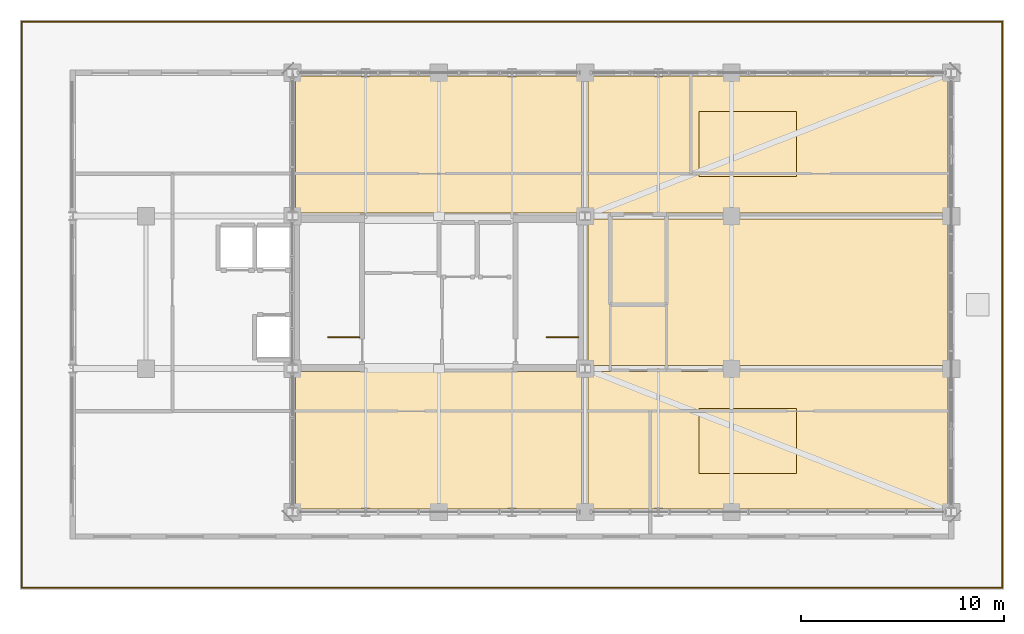
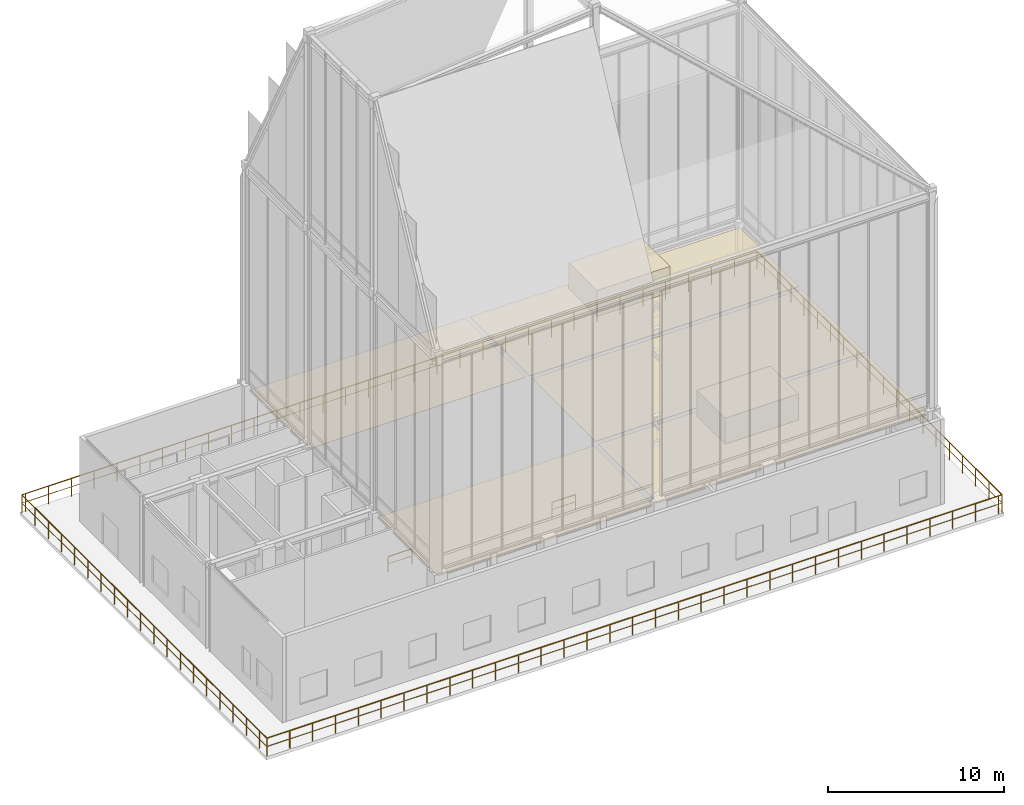
# One storey, part 49 of 49: 7 coverings, 6 railings.
"""IFC4 building model written with IfcOpenShell, lengths in metres."""

from ifc_helpers import new_model, si_unit, direction, frame, origin, origin_2d, place, context, subcontext, project, spatial, rectangle, extrude, source, transform, mapped, material, layer, layer_set, type_object, element, save


model = new_model("IFC4")

# Units and contexts
model_context = context("Model", 3, precision=1e-05, world=origin(), true_north=direction((0.0, 1.0)))
body_context = subcontext(model_context, "Body", "Model", "MODEL_VIEW")
ifc_project = project(units=[si_unit("LENGTHUNIT", "METRE"), si_unit("AREAUNIT", "SQUARE_METRE"), si_unit("VOLUMEUNIT", "CUBIC_METRE"), si_unit("PLANEANGLEUNIT", "RADIAN"), si_unit("MASSUNIT", "GRAM", prefix="KILO")], contexts=[model_context])

# Site, building, storey
site_placement = place(None, origin())
site = spatial("IfcSite", under=ifc_project, at=site_placement, CompositionType="ELEMENT")
building_placement = place(site_placement, origin())
building = spatial("IfcBuilding", under=site, at=building_placement, Name="Kaliganga Portal Commons", CompositionType="ELEMENT")
storey_placement = place(building_placement, frame((0.0, 0.0, 298.0)))
storey = spatial("IfcBuildingStorey", under=building, at=storey_placement, Name="L77", CompositionType="ELEMENT", Elevation=298.0)

# Railings
ifc_material_1 = material(Name="Laminated Structural Glass and Stainless Steel 316", Category="steel")
railing_type_1 = type_object("IfcRailingType", Name="RLG-LOOK-1250", PredefinedType="BALUSTRADE", material=ifc_material_1)
railing_1_placement = place(storey_placement, frame((1.080078125, 17.8798828125, 0.0)))
element("IfcRailing", 1, at=railing_1_placement, inside=storey, type_object=railing_type_1, Name="Terrace Guardrail L77 open_lookout_deck-01-1", PredefinedType="BALUSTRADE", context=body_context, shape_type="SweptSolid", body=[
    extrude(rectangle(XDim=0.048095703125, YDim=0.048095703125, at=origin_2d()), frame((0.0, 0.0, 1.22607421875), z_axis=(1.0, 0.0, 0.0), x_axis=(0.0, 1.0, 0.0)), (0.0, 0.0, 1.0), 48.239990234375),
    extrude(rectangle(XDim=0.028076171875, YDim=0.028076171875, at=origin_2d()), frame((0.0, 0.0, 0.64990234375), z_axis=(1.0, 0.0, 0.0), x_axis=(0.0, 1.0, 0.0)), (0.0, 0.0, 1.0), 48.239990234375),
    extrude(rectangle(XDim=0.0419921875, YDim=0.0419921875, at=origin_2d()), origin(), (0.0, 0.0, 1.0), 1.201904296875),
    extrude(rectangle(XDim=0.0419921875, YDim=0.0419921875, at=origin_2d()), frame((1.5, 0.0, 0.0)), (0.0, 0.0, 1.0), 1.201904296875),
    extrude(rectangle(XDim=0.0419921875, YDim=0.0419921875, at=origin_2d()), frame((3.0, 0.0, 0.0)), (0.0, 0.0, 1.0), 1.201904296875),
    extrude(rectangle(XDim=0.0419921875, YDim=0.0419921875, at=origin_2d()), frame((4.5, 0.0, 0.0)), (0.0, 0.0, 1.0), 1.201904296875),
    extrude(rectangle(XDim=0.0419921875, YDim=0.0419921875, at=origin_2d()), frame((6.0, 0.0, 0.0)), (0.0, 0.0, 1.0), 1.201904296875),
    extrude(rectangle(XDim=0.0419921875, YDim=0.0419921875, at=origin_2d()), frame((7.5, 0.0, 0.0)), (0.0, 0.0, 1.0), 1.201904296875),
    extrude(rectangle(XDim=0.0419921875, YDim=0.0419921875, at=origin_2d()), frame((9.0, 0.0, 0.0)), (0.0, 0.0, 1.0), 1.201904296875),
    extrude(rectangle(XDim=0.0419921875, YDim=0.0419921875, at=origin_2d()), frame((10.5, 0.0, 0.0)), (0.0, 0.0, 1.0), 1.201904296875),
    extrude(rectangle(XDim=0.0419921875, YDim=0.0419921875, at=origin_2d()), frame((12.0, 0.0, 0.0)), (0.0, 0.0, 1.0), 1.201904296875),
    extrude(rectangle(XDim=0.0419921875, YDim=0.0419921875, at=origin_2d()), frame((13.5, 0.0, 0.0)), (0.0, 0.0, 1.0), 1.201904296875),
    extrude(rectangle(XDim=0.0419921875, YDim=0.0419921875, at=origin_2d()), frame((15.0, 0.0, 0.0)), (0.0, 0.0, 1.0), 1.201904296875),
    extrude(rectangle(XDim=0.0419921875, YDim=0.0419921875, at=origin_2d()), frame((16.5, 0.0, 0.0)), (0.0, 0.0, 1.0), 1.201904296875),
    extrude(rectangle(XDim=0.0419921875, YDim=0.0419921875, at=origin_2d()), frame((18.0, 0.0, 0.0)), (0.0, 0.0, 1.0), 1.201904296875),
    extrude(rectangle(XDim=0.0419921875, YDim=0.0419921875, at=origin_2d()), frame((19.5, 0.0, 0.0)), (0.0, 0.0, 1.0), 1.201904296875),
    extrude(rectangle(XDim=0.0419921875, YDim=0.0419921875, at=origin_2d()), frame((21.0, 0.0, 0.0)), (0.0, 0.0, 1.0), 1.201904296875),
    extrude(rectangle(XDim=0.0419921875, YDim=0.0419921875, at=origin_2d()), frame((22.5, 0.0, 0.0)), (0.0, 0.0, 1.0), 1.201904296875),
    extrude(rectangle(XDim=0.0419921875, YDim=0.0419921875, at=origin_2d()), frame((24.0, 0.0, 0.0)), (0.0, 0.0, 1.0), 1.201904296875),
    extrude(rectangle(XDim=0.0419921875, YDim=0.0419921875, at=origin_2d()), frame((25.5, 0.0, 0.0)), (0.0, 0.0, 1.0), 1.201904296875),
    extrude(rectangle(XDim=0.0419921875, YDim=0.0419921875, at=origin_2d()), frame((27.0, 0.0, 0.0)), (0.0, 0.0, 1.0), 1.201904296875),
    extrude(rectangle(XDim=0.0419921875, YDim=0.0419921875, at=origin_2d()), frame((28.5, 0.0, 0.0)), (0.0, 0.0, 1.0), 1.201904296875),
    extrude(rectangle(XDim=0.0419921875, YDim=0.0419921875, at=origin_2d()), frame((30.0, 0.0, 0.0)), (0.0, 0.0, 1.0), 1.201904296875),
    extrude(rectangle(XDim=0.0419921875, YDim=0.0419921875, at=origin_2d()), frame((31.5, 0.0, 0.0)), (0.0, 0.0, 1.0), 1.201904296875),
    extrude(rectangle(XDim=0.0419921875, YDim=0.0419921875, at=origin_2d()), frame((33.0, 0.0, 0.0)), (0.0, 0.0, 1.0), 1.201904296875),
    extrude(rectangle(XDim=0.0419921875, YDim=0.0419921875, at=origin_2d()), frame((34.5, 0.0, 0.0)), (0.0, 0.0, 1.0), 1.201904296875),
    extrude(rectangle(XDim=0.0419921875, YDim=0.0419921875, at=origin_2d()), frame((36.0, 0.0, 0.0)), (0.0, 0.0, 1.0), 1.201904296875),
    extrude(rectangle(XDim=0.0419921875, YDim=0.0419921875, at=origin_2d()), frame((37.5, 0.0, 0.0)), (0.0, 0.0, 1.0), 1.201904296875),
    extrude(rectangle(XDim=0.0419921875, YDim=0.0419921875, at=origin_2d()), frame((39.0, 0.0, 0.0)), (0.0, 0.0, 1.0), 1.201904296875),
    extrude(rectangle(XDim=0.0419921875, YDim=0.0419921875, at=origin_2d()), frame((40.5, 0.0, 0.0)), (0.0, 0.0, 1.0), 1.201904296875),
    extrude(rectangle(XDim=0.0419921875, YDim=0.0419921875, at=origin_2d()), frame((42.0, 0.0, 0.0)), (0.0, 0.0, 1.0), 1.201904296875),
    extrude(rectangle(XDim=0.0419921875, YDim=0.0419921875, at=origin_2d()), frame((43.5, 0.0, 0.0)), (0.0, 0.0, 1.0), 1.201904296875),
    extrude(rectangle(XDim=0.0419921875, YDim=0.0419921875, at=origin_2d()), frame((45.0, 0.0, 0.0)), (0.0, 0.0, 1.0), 1.201904296875),
    extrude(rectangle(XDim=0.0419921875, YDim=0.0419921875, at=origin_2d()), frame((46.5, 0.0, 0.0)), (0.0, 0.0, 1.0), 1.201904296875),
    extrude(rectangle(XDim=0.0419921875, YDim=0.0419921875, at=origin_2d()), frame((48.0, 0.0, 0.0)), (0.0, 0.0, 1.0), 1.201904296875),
    extrude(rectangle(XDim=0.0419921875, YDim=0.0419921875, at=origin_2d()), frame((48.239990234375, 0.0, 0.0)), (0.0, 0.0, 1.0), 1.201904296875),
])
railing_2_placement = place(storey_placement, frame((49.320068359375, 17.8798828125, 0.0)))
element("IfcRailing", 2, at=railing_2_placement, inside=storey, type_object=railing_type_1, Name="Terrace Guardrail L77 open_lookout_deck-02-1", PredefinedType="BALUSTRADE", context=body_context, shape_type="SweptSolid", body=[
    extrude(rectangle(XDim=0.048095703125, YDim=0.048095703125, at=origin_2d()), frame((0.0, 0.0, 1.22607421875), z_axis=(0.0, 1.0, 0.0), x_axis=(-1.0, 0.0, 0.0)), (0.0, 0.0, 1.0), 27.840087890625),
    extrude(rectangle(XDim=0.028076171875, YDim=0.028076171875, at=origin_2d()), frame((0.0, 0.0, 0.64990234375), z_axis=(0.0, 1.0, 0.0), x_axis=(-1.0, 0.0, 0.0)), (0.0, 0.0, 1.0), 27.840087890625),
    extrude(rectangle(XDim=0.0419921875, YDim=0.0419921875, at=origin_2d()), origin(), (0.0, 0.0, 1.0), 1.201904296875),
    extrude(rectangle(XDim=0.0419921875, YDim=0.0419921875, at=origin_2d()), frame((0.0, 1.5, 0.0)), (0.0, 0.0, 1.0), 1.201904296875),
    extrude(rectangle(XDim=0.0419921875, YDim=0.0419921875, at=origin_2d()), frame((0.0, 3.0, 0.0)), (0.0, 0.0, 1.0), 1.201904296875),
    extrude(rectangle(XDim=0.0419921875, YDim=0.0419921875, at=origin_2d()), frame((0.0, 4.5, 0.0)), (0.0, 0.0, 1.0), 1.201904296875),
    extrude(rectangle(XDim=0.0419921875, YDim=0.0419921875, at=origin_2d()), frame((0.0, 6.0, 0.0)), (0.0, 0.0, 1.0), 1.201904296875),
    extrude(rectangle(XDim=0.0419921875, YDim=0.0419921875, at=origin_2d()), frame((0.0, 7.5, 0.0)), (0.0, 0.0, 1.0), 1.201904296875),
    extrude(rectangle(XDim=0.0419921875, YDim=0.0419921875, at=origin_2d()), frame((0.0, 9.0, 0.0)), (0.0, 0.0, 1.0), 1.201904296875),
    extrude(rectangle(XDim=0.0419921875, YDim=0.0419921875, at=origin_2d()), frame((0.0, 10.5, 0.0)), (0.0, 0.0, 1.0), 1.201904296875),
    extrude(rectangle(XDim=0.0419921875, YDim=0.0419921875, at=origin_2d()), frame((0.0, 12.0, 0.0)), (0.0, 0.0, 1.0), 1.201904296875),
    extrude(rectangle(XDim=0.0419921875, YDim=0.0419921875, at=origin_2d()), frame((0.0, 13.5, 0.0)), (0.0, 0.0, 1.0), 1.201904296875),
    extrude(rectangle(XDim=0.0419921875, YDim=0.0419921875, at=origin_2d()), frame((0.0, 15.0, 0.0)), (0.0, 0.0, 1.0), 1.201904296875),
    extrude(rectangle(XDim=0.0419921875, YDim=0.0419921875, at=origin_2d()), frame((0.0, 16.5, 0.0)), (0.0, 0.0, 1.0), 1.201904296875),
    extrude(rectangle(XDim=0.0419921875, YDim=0.0419921875, at=origin_2d()), frame((0.0, 18.0, 0.0)), (0.0, 0.0, 1.0), 1.201904296875),
    extrude(rectangle(XDim=0.0419921875, YDim=0.0419921875, at=origin_2d()), frame((0.0, 19.5, 0.0)), (0.0, 0.0, 1.0), 1.201904296875),
    extrude(rectangle(XDim=0.0419921875, YDim=0.0419921875, at=origin_2d()), frame((0.0, 21.0, 0.0)), (0.0, 0.0, 1.0), 1.201904296875),
    extrude(rectangle(XDim=0.0419921875, YDim=0.0419921875, at=origin_2d()), frame((0.0, 22.5, 0.0)), (0.0, 0.0, 1.0), 1.201904296875),
    extrude(rectangle(XDim=0.0419921875, YDim=0.0419921875, at=origin_2d()), frame((0.0, 24.0, 0.0)), (0.0, 0.0, 1.0), 1.201904296875),
    extrude(rectangle(XDim=0.0419921875, YDim=0.0419921875, at=origin_2d()), frame((0.0, 25.5, 0.0)), (0.0, 0.0, 1.0), 1.201904296875),
    extrude(rectangle(XDim=0.0419921875, YDim=0.0419921875, at=origin_2d()), frame((0.0, 27.0, 0.0)), (0.0, 0.0, 1.0), 1.201904296875),
    extrude(rectangle(XDim=0.0419921875, YDim=0.0419921875, at=origin_2d()), frame((0.0, 27.840087890625, 0.0)), (0.0, 0.0, 1.0), 1.201904296875),
])
railing_3_placement = place(storey_placement, frame((49.320068359375, 45.719970703125, 0.0)))
element("IfcRailing", 3, at=railing_3_placement, inside=storey, type_object=railing_type_1, Name="Terrace Guardrail L77 open_lookout_deck-03-1", PredefinedType="BALUSTRADE", context=body_context, shape_type="SweptSolid", body=[
    extrude(rectangle(XDim=0.048095703125, YDim=0.048095703125, at=origin_2d()), frame((0.0, 0.0, 1.22607421875), z_axis=(-1.0, 0.0, 0.0), x_axis=(0.0, -1.0, 0.0)), (0.0, 0.0, 1.0), 48.239990234375),
    extrude(rectangle(XDim=0.028076171875, YDim=0.028076171875, at=origin_2d()), frame((0.0, 0.0, 0.64990234375), z_axis=(-1.0, 0.0, 0.0), x_axis=(0.0, -1.0, 0.0)), (0.0, 0.0, 1.0), 48.239990234375),
    extrude(rectangle(XDim=0.0419921875, YDim=0.0419921875, at=origin_2d()), origin(), (0.0, 0.0, 1.0), 1.201904296875),
    extrude(rectangle(XDim=0.0419921875, YDim=0.0419921875, at=origin_2d()), frame((-1.5, 0.0, 0.0)), (0.0, 0.0, 1.0), 1.201904296875),
    extrude(rectangle(XDim=0.0419921875, YDim=0.0419921875, at=origin_2d()), frame((-3.0, 0.0, 0.0)), (0.0, 0.0, 1.0), 1.201904296875),
    extrude(rectangle(XDim=0.0419921875, YDim=0.0419921875, at=origin_2d()), frame((-4.5, 0.0, 0.0)), (0.0, 0.0, 1.0), 1.201904296875),
    extrude(rectangle(XDim=0.0419921875, YDim=0.0419921875, at=origin_2d()), frame((-6.0, 0.0, 0.0)), (0.0, 0.0, 1.0), 1.201904296875),
    extrude(rectangle(XDim=0.0419921875, YDim=0.0419921875, at=origin_2d()), frame((-7.5, 0.0, 0.0)), (0.0, 0.0, 1.0), 1.201904296875),
    extrude(rectangle(XDim=0.0419921875, YDim=0.0419921875, at=origin_2d()), frame((-9.0, 0.0, 0.0)), (0.0, 0.0, 1.0), 1.201904296875),
    extrude(rectangle(XDim=0.0419921875, YDim=0.0419921875, at=origin_2d()), frame((-10.5, 0.0, 0.0)), (0.0, 0.0, 1.0), 1.201904296875),
    extrude(rectangle(XDim=0.0419921875, YDim=0.0419921875, at=origin_2d()), frame((-12.0, 0.0, 0.0)), (0.0, 0.0, 1.0), 1.201904296875),
    extrude(rectangle(XDim=0.0419921875, YDim=0.0419921875, at=origin_2d()), frame((-13.5, 0.0, 0.0)), (0.0, 0.0, 1.0), 1.201904296875),
    extrude(rectangle(XDim=0.0419921875, YDim=0.0419921875, at=origin_2d()), frame((-15.0, 0.0, 0.0)), (0.0, 0.0, 1.0), 1.201904296875),
    extrude(rectangle(XDim=0.0419921875, YDim=0.0419921875, at=origin_2d()), frame((-16.5, 0.0, 0.0)), (0.0, 0.0, 1.0), 1.201904296875),
    extrude(rectangle(XDim=0.0419921875, YDim=0.0419921875, at=origin_2d()), frame((-18.0, 0.0, 0.0)), (0.0, 0.0, 1.0), 1.201904296875),
    extrude(rectangle(XDim=0.0419921875, YDim=0.0419921875, at=origin_2d()), frame((-19.5, 0.0, 0.0)), (0.0, 0.0, 1.0), 1.201904296875),
    extrude(rectangle(XDim=0.0419921875, YDim=0.0419921875, at=origin_2d()), frame((-21.0, 0.0, 0.0)), (0.0, 0.0, 1.0), 1.201904296875),
    extrude(rectangle(XDim=0.0419921875, YDim=0.0419921875, at=origin_2d()), frame((-22.5, 0.0, 0.0)), (0.0, 0.0, 1.0), 1.201904296875),
    extrude(rectangle(XDim=0.0419921875, YDim=0.0419921875, at=origin_2d()), frame((-24.0, 0.0, 0.0)), (0.0, 0.0, 1.0), 1.201904296875),
    extrude(rectangle(XDim=0.0419921875, YDim=0.0419921875, at=origin_2d()), frame((-25.5, 0.0, 0.0)), (0.0, 0.0, 1.0), 1.201904296875),
    extrude(rectangle(XDim=0.0419921875, YDim=0.0419921875, at=origin_2d()), frame((-27.0, 0.0, 0.0)), (0.0, 0.0, 1.0), 1.201904296875),
    extrude(rectangle(XDim=0.0419921875, YDim=0.0419921875, at=origin_2d()), frame((-28.5, 0.0, 0.0)), (0.0, 0.0, 1.0), 1.201904296875),
    extrude(rectangle(XDim=0.0419921875, YDim=0.0419921875, at=origin_2d()), frame((-30.0, 0.0, 0.0)), (0.0, 0.0, 1.0), 1.201904296875),
    extrude(rectangle(XDim=0.0419921875, YDim=0.0419921875, at=origin_2d()), frame((-31.5, 0.0, 0.0)), (0.0, 0.0, 1.0), 1.201904296875),
    extrude(rectangle(XDim=0.0419921875, YDim=0.0419921875, at=origin_2d()), frame((-33.0, 0.0, 0.0)), (0.0, 0.0, 1.0), 1.201904296875),
    extrude(rectangle(XDim=0.0419921875, YDim=0.0419921875, at=origin_2d()), frame((-34.5, 0.0, 0.0)), (0.0, 0.0, 1.0), 1.201904296875),
    extrude(rectangle(XDim=0.0419921875, YDim=0.0419921875, at=origin_2d()), frame((-36.0, 0.0, 0.0)), (0.0, 0.0, 1.0), 1.201904296875),
    extrude(rectangle(XDim=0.0419921875, YDim=0.0419921875, at=origin_2d()), frame((-37.5, 0.0, 0.0)), (0.0, 0.0, 1.0), 1.201904296875),
    extrude(rectangle(XDim=0.0419921875, YDim=0.0419921875, at=origin_2d()), frame((-39.0, 0.0, 0.0)), (0.0, 0.0, 1.0), 1.201904296875),
    extrude(rectangle(XDim=0.0419921875, YDim=0.0419921875, at=origin_2d()), frame((-40.5, 0.0, 0.0)), (0.0, 0.0, 1.0), 1.201904296875),
    extrude(rectangle(XDim=0.0419921875, YDim=0.0419921875, at=origin_2d()), frame((-42.0, 0.0, 0.0)), (0.0, 0.0, 1.0), 1.201904296875),
    extrude(rectangle(XDim=0.0419921875, YDim=0.0419921875, at=origin_2d()), frame((-43.5, 0.0, 0.0)), (0.0, 0.0, 1.0), 1.201904296875),
    extrude(rectangle(XDim=0.0419921875, YDim=0.0419921875, at=origin_2d()), frame((-45.0, 0.0, 0.0)), (0.0, 0.0, 1.0), 1.201904296875),
    extrude(rectangle(XDim=0.0419921875, YDim=0.0419921875, at=origin_2d()), frame((-46.5, 0.0, 0.0)), (0.0, 0.0, 1.0), 1.201904296875),
    extrude(rectangle(XDim=0.0419921875, YDim=0.0419921875, at=origin_2d()), frame((-48.0, 0.0, 0.0)), (0.0, 0.0, 1.0), 1.201904296875),
    extrude(rectangle(XDim=0.0419921875, YDim=0.0419921875, at=origin_2d()), frame((-48.239990234375, 0.0, 0.0)), (0.0, 0.0, 1.0), 1.201904296875),
])
railing_4_placement = place(storey_placement, frame((1.080078125, 45.719970703125, 0.0)))
element("IfcRailing", 4, at=railing_4_placement, inside=storey, type_object=railing_type_1, Name="Terrace Guardrail L77 open_lookout_deck-04-1", PredefinedType="BALUSTRADE", context=body_context, shape_type="SweptSolid", body=[
    extrude(rectangle(XDim=0.048095703125, YDim=0.048095703125, at=origin_2d()), frame((0.0, 0.0, 1.22607421875), z_axis=(0.0, -1.0, 0.0), x_axis=(1.0, 0.0, 0.0)), (0.0, 0.0, 1.0), 27.840087890625),
    extrude(rectangle(XDim=0.028076171875, YDim=0.028076171875, at=origin_2d()), frame((0.0, 0.0, 0.64990234375), z_axis=(0.0, -1.0, 0.0), x_axis=(1.0, 0.0, 0.0)), (0.0, 0.0, 1.0), 27.840087890625),
    extrude(rectangle(XDim=0.0419921875, YDim=0.0419921875, at=origin_2d()), origin(), (0.0, 0.0, 1.0), 1.201904296875),
    extrude(rectangle(XDim=0.0419921875, YDim=0.0419921875, at=origin_2d()), frame((0.0, -1.5, 0.0)), (0.0, 0.0, 1.0), 1.201904296875),
    extrude(rectangle(XDim=0.0419921875, YDim=0.0419921875, at=origin_2d()), frame((0.0, -3.0, 0.0)), (0.0, 0.0, 1.0), 1.201904296875),
    extrude(rectangle(XDim=0.0419921875, YDim=0.0419921875, at=origin_2d()), frame((0.0, -4.5, 0.0)), (0.0, 0.0, 1.0), 1.201904296875),
    extrude(rectangle(XDim=0.0419921875, YDim=0.0419921875, at=origin_2d()), frame((0.0, -6.0, 0.0)), (0.0, 0.0, 1.0), 1.201904296875),
    extrude(rectangle(XDim=0.0419921875, YDim=0.0419921875, at=origin_2d()), frame((0.0, -7.5, 0.0)), (0.0, 0.0, 1.0), 1.201904296875),
    extrude(rectangle(XDim=0.0419921875, YDim=0.0419921875, at=origin_2d()), frame((0.0, -9.0, 0.0)), (0.0, 0.0, 1.0), 1.201904296875),
    extrude(rectangle(XDim=0.0419921875, YDim=0.0419921875, at=origin_2d()), frame((0.0, -10.5, 0.0)), (0.0, 0.0, 1.0), 1.201904296875),
    extrude(rectangle(XDim=0.0419921875, YDim=0.0419921875, at=origin_2d()), frame((0.0, -12.0, 0.0)), (0.0, 0.0, 1.0), 1.201904296875),
    extrude(rectangle(XDim=0.0419921875, YDim=0.0419921875, at=origin_2d()), frame((0.0, -13.5, 0.0)), (0.0, 0.0, 1.0), 1.201904296875),
    extrude(rectangle(XDim=0.0419921875, YDim=0.0419921875, at=origin_2d()), frame((0.0, -15.0, 0.0)), (0.0, 0.0, 1.0), 1.201904296875),
    extrude(rectangle(XDim=0.0419921875, YDim=0.0419921875, at=origin_2d()), frame((0.0, -16.5, 0.0)), (0.0, 0.0, 1.0), 1.201904296875),
    extrude(rectangle(XDim=0.0419921875, YDim=0.0419921875, at=origin_2d()), frame((0.0, -18.0, 0.0)), (0.0, 0.0, 1.0), 1.201904296875),
    extrude(rectangle(XDim=0.0419921875, YDim=0.0419921875, at=origin_2d()), frame((0.0, -19.5, 0.0)), (0.0, 0.0, 1.0), 1.201904296875),
    extrude(rectangle(XDim=0.0419921875, YDim=0.0419921875, at=origin_2d()), frame((0.0, -21.0, 0.0)), (0.0, 0.0, 1.0), 1.201904296875),
    extrude(rectangle(XDim=0.0419921875, YDim=0.0419921875, at=origin_2d()), frame((0.0, -22.5, 0.0)), (0.0, 0.0, 1.0), 1.201904296875),
    extrude(rectangle(XDim=0.0419921875, YDim=0.0419921875, at=origin_2d()), frame((0.0, -24.0, 0.0)), (0.0, 0.0, 1.0), 1.201904296875),
    extrude(rectangle(XDim=0.0419921875, YDim=0.0419921875, at=origin_2d()), frame((0.0, -25.5, 0.0)), (0.0, 0.0, 1.0), 1.201904296875),
    extrude(rectangle(XDim=0.0419921875, YDim=0.0419921875, at=origin_2d()), frame((0.0, -27.0, 0.0)), (0.0, 0.0, 1.0), 1.201904296875),
    extrude(rectangle(XDim=0.0419921875, YDim=0.0419921875, at=origin_2d()), frame((0.0, -27.840087890625, 0.0)), (0.0, 0.0, 1.0), 1.201904296875),
])
ifc_material_2 = material(Name="Galvanized Painted Steel Balustrade", Category="steel")
railing_type_2 = type_object("IfcRailingType", Name="RLG-STAIR-GRD", PredefinedType="GUARDRAIL", material=ifc_material_2)
for number, where, name in (
    (5, (17.699951171875, 30.199951171875, 0.0), "L77 ST-A1 top well guard 1"),
    (6, (28.449951171875, 30.199951171875, 0.0), "L77 ST-A2 top well guard 1"),
):
    element("IfcRailing", number, at=place(storey_placement, frame(where)), inside=storey, type_object=railing_type_2, Name=name, PredefinedType="GUARDRAIL", context=body_context, shape_type="SweptSolid", body=[
        extrude(rectangle(XDim=0.048095703125, YDim=0.048095703125, at=origin_2d()), frame((0.0, 0.0, 1.076171875), z_axis=(-1.0, 0.0, 0.0), x_axis=(0.0, -1.0, 0.0)), (0.0, 0.0, 1.0), 1.550048828125),
        extrude(rectangle(XDim=0.028076171875, YDim=0.028076171875, at=origin_2d()), frame((0.0, 0.0, 0.572021484375), z_axis=(-1.0, 0.0, 0.0), x_axis=(0.0, -1.0, 0.0)), (0.0, 0.0, 1.0), 1.550048828125),
        extrude(rectangle(XDim=0.0419921875, YDim=0.0419921875, at=origin_2d()), origin(), (0.0, 0.0, 1.0), 1.052001953125),
        extrude(rectangle(XDim=0.0419921875, YDim=0.0419921875, at=origin_2d()), frame((-1.550048828125, 0.0, 0.0)), (0.0, 0.0, 1.0), 1.052001953125),
    ])

# Coverings
ifc_material_3 = material(Name="Anodized Aluminium Soffit Cladding", Category="aluminium")
ifc_layer = layer(ifc_material_3, 0.034912109375)
ifc_layer_set = layer_set([ifc_layer], Name="Anodized Aluminium Soffit Cladding")
covering_type = type_object("IfcCoveringType", Name="COV-CANOPY-SOFFIT", PredefinedType="CLADDING", material=ifc_layer_set)
shared_shape_1 = source(origin(), body_context, "Body", "SweptSolid", [
    extrude(rectangle(XDim=14.10009765625, YDim=6.75, at=origin_2d()), origin(), (0.0, 0.0, 1.0), 0.034912109375),
])
for number, where, z_axis, x_axis, name in (
    (7, (21.60009765625, 25.125, 5.40234375), (0.0, 0.0, 1.0), (1.0, 0.0, 0.0), "Observatory Canopy Acoustic Soffit Cladding CLD-01"),
    (8, (21.60009765625, 39.675048828125, 5.40234375), (0.0, 0.0, 1.0), (1.0, 0.0, 0.0), "Observatory Canopy Acoustic Soffit Cladding CLD-03"),
):
    element("IfcCovering", number, at=place(storey_placement, frame(where, z_axis=z_axis, x_axis=x_axis)), inside=storey, type_object=covering_type, Name=name, PredefinedType="CLADDING", context=body_context, shape_type="MappedRepresentation", body=[
        mapped(shared_shape_1, transform((0.0, 0.0, 0.0), x_axis=(1.0, 0.0, 0.0), y_axis=(0.0, 1.0, 0.0), z_axis=(0.0, 0.0, 1.0), scale=1.0)),
    ])
shared_shape_2 = source(origin(), body_context, "Body", "SweptSolid", [
    extrude(rectangle(XDim=17.699951171875, YDim=6.75, at=origin_2d()), origin(), (0.0, 0.0, 1.0), 0.034912109375),
])
for number, where, z_axis, x_axis, name in (
    (9, (37.800048828125, 25.125, 5.40234375), (0.0, 0.0, 1.0), (1.0, 0.0, 0.0), "Observatory Canopy Acoustic Soffit Cladding CLD-02"),
    (10, (37.800048828125, 39.675048828125, 5.40234375), (0.0, 0.0, 1.0), (1.0, 0.0, 0.0), "Observatory Canopy Acoustic Soffit Cladding CLD-04"),
):
    element("IfcCovering", number, at=place(storey_placement, frame(where, z_axis=z_axis, x_axis=x_axis)), inside=storey, type_object=covering_type, Name=name, PredefinedType="CLADDING", context=body_context, shape_type="MappedRepresentation", body=[
        mapped(shared_shape_2, transform((0.0, 0.0, 0.0), x_axis=(1.0, 0.0, 0.0), y_axis=(0.0, 1.0, 0.0), z_axis=(0.0, 0.0, 1.0), scale=1.0)),
    ])
shared_shape_3 = source(origin(), body_context, "Body", "SweptSolid", [
    extrude(rectangle(XDim=17.699951171875, YDim=7.199951171875, at=origin_2d()), origin(), (0.0, 0.0, 1.0), 0.034912109375),
])
covering_placement = place(storey_placement, frame((37.800048828125, 32.39990234375, 5.40234375), z_axis=(0.0, 0.0, 1.0), x_axis=(1.0, 0.0, 0.0)))
element("IfcCovering", 11, at=covering_placement, inside=storey, type_object=covering_type, Name="Observatory Canopy Acoustic Soffit Cladding CLD-05", PredefinedType="CLADDING", context=body_context, shape_type="MappedRepresentation", body=[
    mapped(shared_shape_3, transform((0.0, 0.0, 0.0), x_axis=(1.0, 0.0, 0.0), y_axis=(0.0, 1.0, 0.0), z_axis=(0.0, 0.0, 1.0), scale=1.0)),
])
shared_shape_4 = source(origin(), body_context, "Body", "SweptSolid", [
    extrude(rectangle(XDim=4.800048828125, YDim=3.199951171875, at=origin_2d()), origin(), (0.0, 0.0, 1.0), 1.800048828125),
])
for number, where, z_axis, x_axis, name in (
    (12, (36.800048828125, 25.10009765625, 6.5498046875), (0.0, 0.0, 1.0), (1.0, 0.0, 0.0), "Crown Rooftop Chiller Plant Acoustic Plinth SE"),
    (13, (36.800048828125, 39.699951171875, 6.5498046875), (0.0, 0.0, 1.0), (1.0, 0.0, 0.0), "Crown Rooftop AHU Plant Acoustic Plinth NE"),
):
    element("IfcCovering", number, at=place(storey_placement, frame(where, z_axis=z_axis, x_axis=x_axis)), inside=storey, type_object=covering_type, Name=name, PredefinedType="CLADDING", context=body_context, shape_type="MappedRepresentation", body=[
        mapped(shared_shape_4, transform((0.0, 0.0, 0.0), x_axis=(1.0, 0.0, 0.0), y_axis=(0.0, 1.0, 0.0), z_axis=(0.0, 0.0, 1.0), scale=1.0)),
    ])

save(model, "model.ifc")
